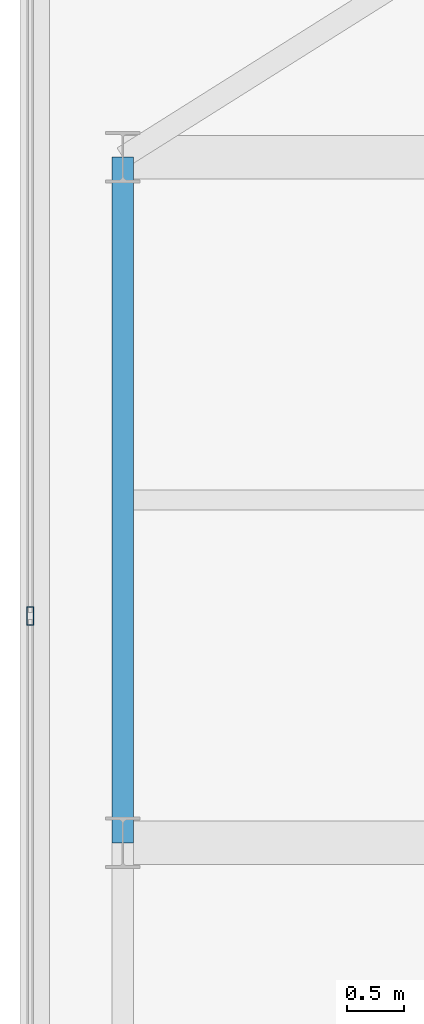
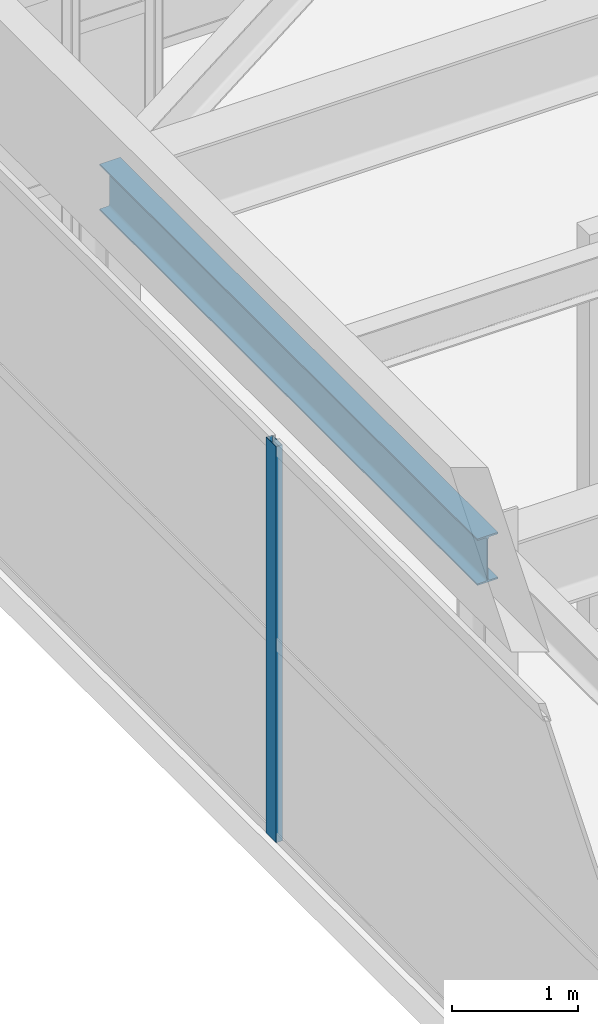
# One storey, part 13 of 33: 1 beam, 1 member, 1 element without a shape of its own.
"""IFC4 building model written with IfcOpenShell, lengths in metres."""

import ifcopenshell
import ifcopenshell.guid

model = None  # the IFC model being written
_history = None  # IfcOwnerHistory: only IFC2X3 demands one
_inside = {}  # id of a spatial element -> (the spatial element, [elements in it])
_under = {}  # id of a project, library or spatial element -> (it, [spatial elements below it])
_declared = {}  # id of a project -> (the project, [libraries it declares])
_typed = {}  # id of a type object -> (the type object, [elements of that type])
_made_of = {}  # id of a material, layer set ... -> (it, [elements and type objects made of it])


def new_model(schema):
    """Start an empty IFC model of exactly this schema.

    Asked for "IFC4X3", IfcOpenShell would pick the latest addendum, in which some entities
    have other attributes; the version numbers below select the first issue.
    IFC2X3 requires an IfcOwnerHistory on every rooted entity: one is made here for all.
    """
    global model, _history
    if schema == "IFC4X3":
        model = ifcopenshell.file(schema_version=(4, 3, 0, 0))
    else:
        model = ifcopenshell.file(schema=schema)
    _inside.clear()
    _under.clear()
    _declared.clear()
    _typed.clear()
    _made_of.clear()
    _history = None
    if model.schema == "IFC2X3":
        org = make("IfcOrganization", Name="unknown")
        user = make(
            "IfcPersonAndOrganization",
            ThePerson=make("IfcPerson", FamilyName="unknown"),
            TheOrganization=org,
        )
        app = make(
            "IfcApplication",
            ApplicationDeveloper=org,
            Version="unknown",
            ApplicationFullName="unknown",
            ApplicationIdentifier="unknown",
        )
        _history = make(
            "IfcOwnerHistory",
            OwningUser=user,
            OwningApplication=app,
            ChangeAction="ADDED",
            CreationDate=0,
        )
    return model


def make(cls, **values):
    """One entity of the class cls with the attributes given. An attribute that is None is left unset."""
    return model.create_entity(
        cls, **{name: value for name, value in values.items() if value is not None}
    )


def rooted(cls, **values):
    """An entity with a GlobalId (a new one), such as an element, a storey or a relation."""
    return make(cls, GlobalId=ifcopenshell.guid.new(), OwnerHistory=_history, **values)


def si_unit(unit_type, name, prefix=None):
    """IfcSIUnit, for example si_unit("LENGTHUNIT", "METRE", prefix="MILLI")."""
    return make("IfcSIUnit", UnitType=unit_type, Prefix=prefix, Name=name)


def assignment(units):
    """IfcUnitAssignment: the units of a project."""
    return None if units is None else make("IfcUnitAssignment", Units=units)


def point(xyz):
    """IfcCartesianPoint."""
    return None if xyz is None else make("IfcCartesianPoint", Coordinates=xyz)


def direction(xyz):
    """IfcDirection."""
    return None if xyz is None else make("IfcDirection", DirectionRatios=xyz)


def frame(location, z_axis=None, x_axis=None):
    """IfcAxis2Placement3D, a coordinate frame: its origin and axes. An axis left out is left unset."""
    return make(
        "IfcAxis2Placement3D",
        Location=point(location),
        Axis=direction(z_axis),
        RefDirection=direction(x_axis),
    )


def frame_2d(location, x_axis=None):
    """IfcAxis2Placement2D, a coordinate frame in the plane: its origin and x axis."""
    return make(
        "IfcAxis2Placement2D", Location=point(location), RefDirection=direction(x_axis)
    )


def origin():
    """The frame at (0, 0, 0) with its axes left unset."""
    return frame((0.0, 0.0, 0.0))


def origin_2d():
    """The frame at (0, 0) in the plane with its x axis left unset."""
    return frame_2d((0.0, 0.0))


def place(relative_to, where):
    """IfcLocalPlacement: puts the frame where relative to a parent placement (None: the world)."""
    return make(
        "IfcLocalPlacement", PlacementRelTo=relative_to, RelativePlacement=where
    )


def context(
    kind, dimensions, precision=None, world=None, true_north=None, identifier=None
):
    """IfcGeometricRepresentationContext, for example the 3D "Model" context."""
    return make(
        "IfcGeometricRepresentationContext",
        ContextIdentifier=identifier,
        ContextType=kind,
        CoordinateSpaceDimension=dimensions,
        Precision=precision,
        WorldCoordinateSystem=world,
        TrueNorth=true_north,
    )


def subcontext(parent, identifier, kind, view, scale=None):
    """IfcGeometricRepresentationSubContext, for example "Body" below "Model"."""
    return make(
        "IfcGeometricRepresentationSubContext",
        ContextIdentifier=identifier,
        ContextType=kind,
        ParentContext=parent,
        TargetScale=scale,
        TargetView=view,
    )


def project(units=None, contexts=None):
    """IfcProject with its units and contexts."""
    return rooted(
        "IfcProject",
        Name="project",
        RepresentationContexts=contexts,
        UnitsInContext=assignment(units),
    )


def spatial(cls, under=None, at=None, **own):
    """A site, building, storey or space (cls), placed at a placement, below another one or the project."""
    s = rooted(cls, ObjectPlacement=at, **own)
    if under is not None:
        _under.setdefault(under.id(), (under, []))[1].append(s)
    return s


def profile(cls, at=None, kind="AREA", **sizes):
    """A parametric profile (cls). Its sizes go by their IFC names, for example OverallWidth=200.0."""
    return make(cls, ProfileType=kind, Position=at, **sizes)


def hollow_rectangle(**sizes):
    """IfcRectangleHollowProfileDef."""
    return profile("IfcRectangleHollowProfileDef", **sizes)


def i_section(**sizes):
    """IfcIShapeProfileDef."""
    return profile("IfcIShapeProfileDef", **sizes)


def extrude(swept, where, along, depth):
    """IfcExtrudedAreaSolid: the profile swept, set in the frame where, extruded along a direction by depth."""
    return make(
        "IfcExtrudedAreaSolid",
        SweptArea=swept,
        Position=where,
        ExtrudedDirection=direction(along),
        Depth=depth,
    )


def shape(context_of_items, identifier, shape_type, items):
    """IfcShapeRepresentation: the items that make up one representation, for example the "Body"."""
    return make(
        "IfcShapeRepresentation",
        ContextOfItems=context_of_items,
        RepresentationIdentifier=identifier,
        RepresentationType=shape_type,
        Items=items,
    )


def source(mapping_origin, context_of_items, identifier, shape_type, items):
    """IfcRepresentationMap: a shape defined once, which mapped items show again and again."""
    return make(
        "IfcRepresentationMap",
        MappingOrigin=mapping_origin,
        MappedRepresentation=shape(context_of_items, identifier, shape_type, items),
    )


def transform(
    local_origin,
    x_axis=None,
    y_axis=None,
    z_axis=None,
    scale=None,
    scale2=None,
    scale3=None,
    uniform=True,
):
    """IfcCartesianTransformationOperator3D, or its non-uniform kind. x_axis, y_axis, z_axis: its Axis1, 2, 3."""
    if uniform:
        return make(
            "IfcCartesianTransformationOperator3D",
            Axis1=direction(x_axis),
            Axis2=direction(y_axis),
            LocalOrigin=point(local_origin),
            Scale=scale,
            Axis3=direction(z_axis),
        )
    return make(
        "IfcCartesianTransformationOperator3DnonUniform",
        Axis1=direction(x_axis),
        Axis2=direction(y_axis),
        LocalOrigin=point(local_origin),
        Scale=scale,
        Axis3=direction(z_axis),
        Scale2=scale2,
        Scale3=scale3,
    )


def mapped(mapping_source, mapping_target):
    """IfcMappedItem: shows the shape of a source again, moved by a transform."""
    return make(
        "IfcMappedItem", MappingSource=mapping_source, MappingTarget=mapping_target
    )


def material(Name=None, Category=None):
    """IfcMaterial."""
    return make("IfcMaterial", Name=Name, Category=Category)


def layer(
    of_material, thickness, ventilated=None, Name=None, Category=None, Priority=None
):
    """IfcMaterialLayer: one layer of a wall or slab, of a material (None: an air gap)."""
    return make(
        "IfcMaterialLayer",
        Material=of_material,
        LayerThickness=thickness,
        IsVentilated=ventilated,
        Name=Name,
        Category=Category,
        Priority=Priority,
    )


def layer_set(layers, Name=None):
    """IfcMaterialLayerSet."""
    return make("IfcMaterialLayerSet", MaterialLayers=layers, LayerSetName=Name)


def material_profile(
    of_material, cross_section, Name=None, Category=None, Priority=None
):
    """IfcMaterialProfile: a cross section and its material."""
    return make(
        "IfcMaterialProfile",
        Name=Name,
        Material=of_material,
        Profile=cross_section,
        Priority=Priority,
        Category=Category,
    )


def profile_set(profiles, Name=None, composite=None):
    """IfcMaterialProfileSet."""
    return make(
        "IfcMaterialProfileSet",
        Name=Name,
        MaterialProfiles=profiles,
        CompositeProfile=composite,
    )


def made_of(thing, what):
    """Note that an element or type object is made of a material, layer set ...; save() writes the relation."""
    if what is not None:
        _made_of.setdefault(what.id(), (what, []))[1].append(thing)
    return thing


def type_object(cls, material=None, **own):
    """A type object (cls), such as IfcWallType, which elements share."""
    return made_of(rooted(cls, **own), material)


def element(
    cls,
    number,
    at=None,
    inside=None,
    cuts=None,
    type_object=None,
    material=None,
    context=None,
    identifier="Body",
    shape_type=None,
    held_by="IfcProductDefinitionShape",
    body=None,
    shapes=None,
    **own,
):
    """One element of the class cls, such as IfcWall. Its Tag is "e" and its number.

    at: its placement. inside: the storey or other place that contains it. cuts: it is an
    opening in that element (IfcRelVoidsElement). A single representation is given by context,
    identifier, shape_type and body (its items); several are given by shapes. held_by: the class
    of the entity that holds the representations. save() writes the other relations.
    """
    e = rooted(cls, Tag="e%d" % number, ObjectPlacement=at, **own)
    if body is not None:
        shapes = [shape(context, identifier, shape_type, body)]
    if shapes is not None:
        e.Representation = make(held_by, Representations=shapes)
    if inside is not None:
        _inside.setdefault(inside.id(), (inside, []))[1].append(e)
    if cuts is not None:
        rooted(
            "IfcRelVoidsElement", RelatingBuildingElement=cuts, RelatedOpeningElement=e
        )
    if type_object is not None:
        _typed.setdefault(type_object.id(), (type_object, []))[1].append(e)
    return made_of(e, material)


def aggregate(whole, parts):
    """IfcRelAggregates: a whole, such as a stair, and the parts it consists of."""
    return rooted("IfcRelAggregates", RelatingObject=whole, RelatedObjects=parts)


def save(model, path):
    """Write the relations noted so far, then the file.

    IfcRelAggregates (storeys below a building ...), IfcRelContainedInSpatialStructure (elements
    in a storey), IfcRelDefinesByType, IfcRelAssociatesMaterial and IfcRelDeclares: one each for
    every whole, place, type object, material and project.
    """
    for whole, parts in _under.values():
        aggregate(whole, parts)
    for where, things in _inside.values():
        rooted(
            "IfcRelContainedInSpatialStructure",
            RelatedElements=things,
            RelatingStructure=where,
        )
    for kind, things in _typed.values():
        rooted("IfcRelDefinesByType", RelatedObjects=things, RelatingType=kind)
    for what, things in _made_of.values():
        rooted("IfcRelAssociatesMaterial", RelatedObjects=things, RelatingMaterial=what)
    for by, libraries in _declared.values():
        rooted("IfcRelDeclares", RelatingContext=by, RelatedDefinitions=libraries)
    model.write(path)


model = new_model("IFC4")

# Units and contexts
model_context = context("Model", 3, precision=1e-05, world=origin(), true_north=direction((0.0, 1.0)))
body_context = subcontext(model_context, "Body", "Model", "MODEL_VIEW")
ifc_project = project(units=[si_unit("LENGTHUNIT", "METRE"), si_unit("AREAUNIT", "SQUARE_METRE"), si_unit("VOLUMEUNIT", "CUBIC_METRE"), si_unit("PLANEANGLEUNIT", "RADIAN"), si_unit("MASSUNIT", "GRAM", prefix="KILO")], contexts=[model_context])

# Site, building, storey
site_placement = place(None, origin())
site = spatial("IfcSite", under=ifc_project, at=site_placement, CompositionType="ELEMENT")
building_placement = place(site_placement, origin())
building = spatial("IfcBuilding", under=site, at=building_placement, Name="Khoralis Quay Care Tower", CompositionType="ELEMENT")
storey_placement = place(building_placement, frame((0.0, 0.0, 314.699951171875)))
storey = spatial("IfcBuildingStorey", under=building, at=storey_placement, Name="L82", CompositionType="ELEMENT", Elevation=314.699951171875)

# Beam
ifc_material_1 = material(Name="Steel S355", Category="steel")
ifc_material_profile_1 = material_profile(ifc_material_1, i_section(OverallWidth=0.18994140625, OverallDepth=0.449951171875, WebThickness=0.009521484375, FlangeThickness=0.0146484375, FilletRadius=0.02099609375, at=origin_2d()), Name="Steel S355")
ifc_profile_set_1 = profile_set([ifc_material_profile_1], Name="Steel S355")
beam_type = type_object("IfcBeamType", Name="BM-IPE450", PredefinedType="SPANDREL", material=ifc_profile_set_1)
shared_shape_1 = source(origin(), body_context, "Body", "SweptSolid", [
    extrude(i_section(OverallWidth=0.18994140625, OverallDepth=0.449951171875, WebThickness=0.009521484375, FlangeThickness=0.0146484375, FilletRadius=0.02099609375, at=origin_2d()), origin(), (0.0, 0.0, 1.0), 6.0),
])
beam_placement = place(storey_placement, frame((3.89990234375, 30.0, 3.614990234375), z_axis=(0.0, 1.0, 0.0), x_axis=(-1.0, 0.0, 0.0)))
element("IfcBeam", 1, at=beam_placement, inside=storey, type_object=beam_type, Name="BM-TSP-L82-12", PredefinedType="SPANDREL", context=body_context, shape_type="MappedRepresentation", body=[
    mapped(shared_shape_1, transform((0.0, 0.0, 0.0), scale=1.0)),
])

# Curtain wall, member
ifc_material_2 = material(Name="Pale anodised aluminium", Category="aluminium")
ifc_layer = layer(ifc_material_2, 0.199951171875)
ifc_layer_set = layer_set([ifc_layer], Name="Pale anodised aluminium")
curtain_wall_type = type_object("IfcCurtainWallType", Name="CW-SYS-LANTERN", PredefinedType="NOTDEFINED", material=ifc_layer_set)
curtain_wall_placement = place(storey_placement, origin())
curtain_wall = element("IfcCurtainWall", 2, at=curtain_wall_placement, inside=storey, type_object=curtain_wall_type, Name="L82 Unitised Curtain Wall CW-LN-L82-16", PredefinedType="NOTDEFINED")
ifc_material_profile_2 = material_profile(ifc_material_2, hollow_rectangle(XDim=0.06005859375, YDim=0.159912109375, WallThickness=0.00390625, at=origin_2d()), Name="Pale anodised aluminium")
ifc_profile_set_2 = profile_set([ifc_material_profile_2], Name="Pale anodised aluminium")
member_type = type_object("IfcMemberType", Name="CW-MUL-160", PredefinedType="MULLION", material=ifc_profile_set_2)
shared_shape_2 = source(origin(), body_context, "Body", "SweptSolid", [
    extrude(hollow_rectangle(XDim=0.06005859375, YDim=0.159912109375, WallThickness=0.00390625, at=origin_2d()), origin(), (0.0, 0.0, 1.0), 3.840087890625),
])
member_placement = place(storey_placement, frame((3.090087890625, 31.986083984375, 0.0), z_axis=(0.0, 0.0, 1.0), x_axis=(1.0, 0.0, 0.0)))
member = element("IfcMember", 3, at=member_placement, type_object=member_type, Name="CW5 mullion 2", PredefinedType="MULLION", context=body_context, shape_type="MappedRepresentation", body=[
    mapped(shared_shape_2, transform((0.0, 0.0, 0.0), scale=1.0)),
])
aggregate(curtain_wall, [member])

save(model, "model.ifc")
